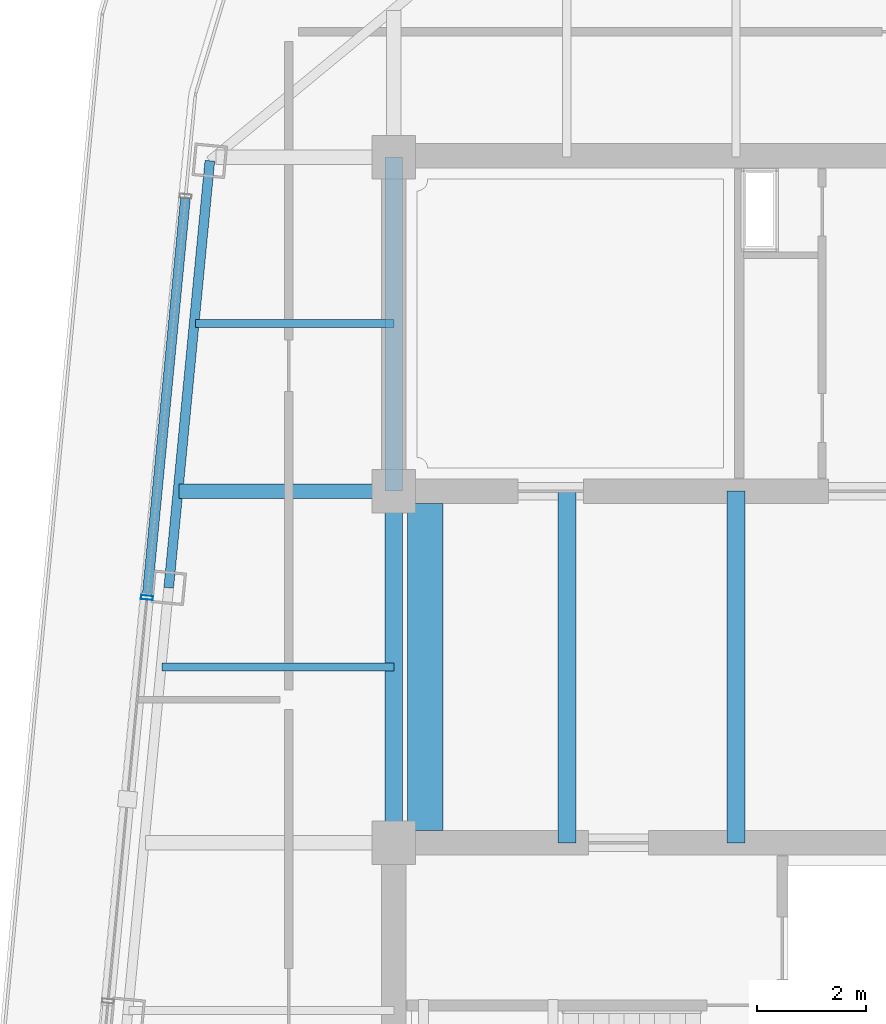
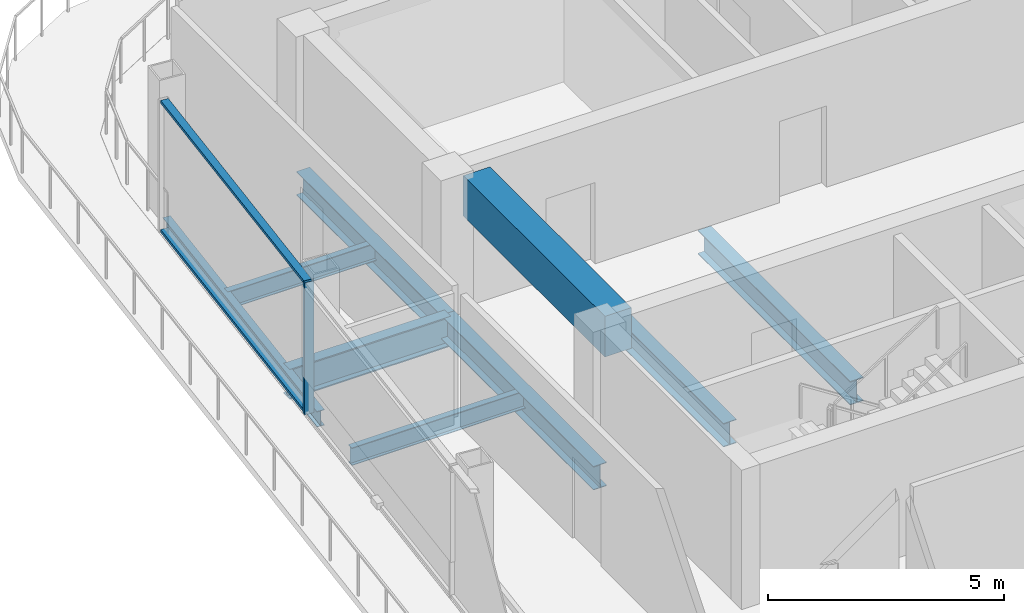
# One storey, part 6 of 23: 9 beams, 3 members, 1 element without a shape of its own.
"""IFC4 building model written with IfcOpenShell, lengths in metres."""

from ifc_helpers import new_model, si_unit, direction, frame, origin, origin_2d, place, context, subcontext, project, spatial, rectangle, hollow_rectangle, i_section, extrude, material, layer, layer_set, material_profile, profile_set, type_object, element, aggregate, save


model = new_model("IFC4")

# Units and contexts
model_context = context("Model", 3, precision=1e-05, world=origin(), true_north=direction((0.0, 1.0)))
body_context = subcontext(model_context, "Body", "Model", "MODEL_VIEW")
ifc_project = project(units=[si_unit("LENGTHUNIT", "METRE"), si_unit("AREAUNIT", "SQUARE_METRE"), si_unit("VOLUMEUNIT", "CUBIC_METRE"), si_unit("PLANEANGLEUNIT", "RADIAN"), si_unit("MASSUNIT", "GRAM", prefix="KILO")], contexts=[model_context])

# Site, building, storey
site_placement = place(None, origin())
site = spatial("IfcSite", under=ifc_project, at=site_placement, CompositionType="ELEMENT")
building_placement = place(site_placement, origin())
building = spatial("IfcBuilding", under=site, at=building_placement, Name="Qhalaya Broadcast Tower", CompositionType="ELEMENT")
storey_placement = place(building_placement, frame((0.0, 0.0, 276.949951171875)))
storey = spatial("IfcBuildingStorey", under=building, at=storey_placement, Name="L82", CompositionType="ELEMENT", Elevation=276.949951171875)

# Beams
ifc_material_1 = material(Name="Structural Steel ASTM A992 Grade 50", Category="steel")
ifc_material_profile_1 = material_profile(ifc_material_1, i_section(OverallWidth=0.154052734375, OverallDepth=0.458984375, WebThickness=0.009033203125, FlangeThickness=0.015380859375, at=origin_2d()), Name="W18X46")
ifc_profile_set_1 = profile_set([ifc_material_profile_1], Name="Structural Steel ASTM A992 Grade 50")
beam_type_1 = type_object("IfcBeamType", Name="Composite Floor Joist J04", PredefinedType="JOIST", material=ifc_profile_set_1)
beam_1_placement = place(storey_placement, frame((-13.622314453125, 0.60009765625, -0.41943359375), z_axis=(1.0, 0.0, 0.0), x_axis=(0.0, 1.0, 0.0)))
element("IfcBeam", 1, at=beam_1_placement, inside=storey, type_object=beam_type_1, Name="L82 J04 L82-JWE4W-1", PredefinedType="JOIST", context=body_context, shape_type="SweptSolid", body=[
    extrude(i_section(OverallWidth=0.154052734375, OverallDepth=0.458984375, WebThickness=0.009033203125, FlangeThickness=0.015380859375, at=origin_2d()), origin(), (0.0, 0.0, 1.0), 4.247314453125),
])
beam_2_placement = place(storey_placement, frame((-13.015625, 6.89990234375, -0.41943359375), z_axis=(1.0, 0.0, 0.0), x_axis=(0.0, 1.0, 0.0)))
element("IfcBeam", 2, at=beam_2_placement, inside=storey, type_object=beam_type_1, Name="L82 J04 L82-JWE5W-1", PredefinedType="JOIST", context=body_context, shape_type="SweptSolid", body=[
    extrude(i_section(OverallWidth=0.154052734375, OverallDepth=0.458984375, WebThickness=0.009033203125, FlangeThickness=0.015380859375, at=origin_2d()), origin(), (0.0, 0.0, 1.0), 3.640625),
])
ifc_material_profile_2 = material_profile(ifc_material_1, i_section(OverallWidth=0.323974609375, OverallDepth=0.612060546875, WebThickness=0.0126953125, FlangeThickness=0.01904296875, at=origin_2d()), Name="W24X104")
ifc_profile_set_2 = profile_set([ifc_material_profile_2], Name="Structural Steel ASTM A992 Grade 50")
beam_type_2 = type_object("IfcBeamType", Name="Core Frame Tie Beam B04", PredefinedType="BEAM", material=ifc_profile_set_2)
beam_3_placement = place(storey_placement, frame((-9.375, 3.824951171875, -0.495849609375), z_axis=(0.0, 1.0, 0.0), x_axis=(-1.0, 0.0, 0.0)))
element("IfcBeam", 3, at=beam_3_placement, inside=storey, type_object=beam_type_2, Name="L82 B04 L82-CCN2", PredefinedType="BEAM", context=body_context, shape_type="SweptSolid", body=[
    extrude(i_section(OverallWidth=0.323974609375, OverallDepth=0.612060546875, WebThickness=0.0126953125, FlangeThickness=0.01904296875, at=origin_2d()), origin(), (0.0, 0.0, 1.0), 6.125),
])
for number, where, z_axis, x_axis, name in (
    (4, (-9.375, -2.625, -0.495849609375), (0.0, 1.0, 0.0), (-1.0, 0.0, 0.0), "L82 B04 L82-CCW"),
    (5, (-6.199951171875, -2.625, -0.495849609375), (0.0, 1.0, 0.0), (-1.0, 0.0, 0.0), "L82 B04 L82-JC1-1"),
    (6, (-3.10009765625, -2.625, -0.495849609375), (0.0, 1.0, 0.0), (-1.0, 0.0, 0.0), "L82 B04 L82-JC2-1"),
):
    element("IfcBeam", number, at=place(storey_placement, frame(where, z_axis=z_axis, x_axis=x_axis)), inside=storey, type_object=beam_type_2, Name=name, PredefinedType="BEAM", context=body_context, shape_type="SweptSolid", body=[
        extrude(i_section(OverallWidth=0.323974609375, OverallDepth=0.612060546875, WebThickness=0.0126953125, FlangeThickness=0.01904296875, at=origin_2d()), origin(), (0.0, 0.0, 1.0), 6.449951171875),
    ])
ifc_material_profile_3 = material_profile(ifc_material_1, i_section(OverallWidth=0.26708984375, OverallDepth=0.780029296875, WebThickness=0.0166015625, FlangeThickness=0.030029296875, at=origin_2d()), Name="W30X148")
ifc_profile_set_3 = profile_set([ifc_material_profile_3], Name="Structural Steel ASTM A992 Grade 50")
beam_type_3 = type_object("IfcBeamType", Name="Neck & Crown Primary Girder PG5", PredefinedType="USERDEFINED", material=ifc_profile_set_3)
beam_4_placement = place(storey_placement, frame((-13.311767578125, 3.824951171875, -0.579833984375), z_axis=(1.0, 0.0, 0.0), x_axis=(0.0, 1.0, 0.0)))
element("IfcBeam", 7, at=beam_4_placement, inside=storey, type_object=beam_type_3, Name="L82 PG5 L82-PGYW3-1", ObjectType="GIRDER", PredefinedType="USERDEFINED", context=body_context, shape_type="SweptSolid", body=[
    extrude(i_section(OverallWidth=0.26708984375, OverallDepth=0.780029296875, WebThickness=0.0166015625, FlangeThickness=0.030029296875, at=origin_2d()), origin(), (0.0, 0.0, 1.0), 3.936767578125),
])
ifc_material_2 = material(Name="Concrete C60/75", Category="concrete")
ifc_material_profile_4 = material_profile(ifc_material_2, rectangle(XDim=0.64990234375, YDim=1.050048828125, at=origin_2d()), Name="RC-CB 650x1050")
ifc_profile_set_4 = profile_set([ifc_material_profile_4], Name="Concrete C60/75")
beam_type_4 = type_object("IfcBeamType", Name="Split-Core RC Coupling Lintel CB1", PredefinedType="LINTEL", material=ifc_profile_set_4)
beam_5_placement = place(storey_placement, frame((-8.800048828125, -2.39990234375, 2.885009765625), z_axis=(0.0, 1.0, 0.0), x_axis=(-1.0, 0.0, 0.0)))
element("IfcBeam", 8, at=beam_5_placement, inside=storey, type_object=beam_type_4, Name="L82 Core Coupling Lintel Beam W", PredefinedType="LINTEL", context=body_context, shape_type="SweptSolid", body=[
    extrude(rectangle(XDim=0.64990234375, YDim=1.050048828125, at=origin_2d()), origin(), (0.0, 0.0, 1.0), 6.0),
])

# Curtain wall, members
ifc_material_3 = material(Name="Solar-Control Low-E Triple Glazing", Category="glass")
ifc_layer = layer(ifc_material_3, 0.219970703125, Name="Solar-Control Low-E Triple Glazing")
ifc_layer_set = layer_set([ifc_layer], Name="Solar-Control Low-E Triple Glazing")
curtain_wall_type = type_object("IfcCurtainWallType", Name="Crown Garden & Observation Windscreen Curtain Wall CW-06", PredefinedType="NOTDEFINED", material=ifc_layer_set)
curtain_wall_placement = place(storey_placement, origin())
curtain_wall = element("IfcCurtainWall", 9, at=curtain_wall_placement, inside=storey, type_object=curtain_wall_type, Name="L82 Unitised Curtain Wall L82-CW-W", PredefinedType="NOTDEFINED")
ifc_material_4 = material(Name="Anodised Aluminium 6063-T6", Category="aluminium")
ifc_material_profile_5 = material_profile(ifc_material_4, hollow_rectangle(XDim=0.074951171875, YDim=0.219970703125, WallThickness=0.00390625, at=origin_2d()), Name="ALU-MUL 75x220x4")
ifc_profile_set_5 = profile_set([ifc_material_profile_5], Name="Anodised Aluminium 6063-T6")
member_type_1 = type_object("IfcMemberType", Name="Unitised Curtain-Wall Mullion M01", PredefinedType="MULLION", material=ifc_profile_set_5)
member_1_placement = place(storey_placement, frame((-13.9013671875, 1.873291015625, 0.0), z_axis=(0.0, 0.0, 1.0), x_axis=(-0.095847667974, -0.995396013928, 0.0)))
member_1 = element("IfcMember", 10, at=member_1_placement, type_object=member_type_1, Name="CW-06 mullion 2", PredefinedType="MULLION", context=body_context, shape_type="SweptSolid", body=[
    extrude(hollow_rectangle(XDim=0.074951171875, YDim=0.219970703125, WallThickness=0.00390625, at=origin_2d()), origin(), (0.0, 0.0, 1.0), 3.41015625),
])
ifc_material_profile_6 = material_profile(ifc_material_4, hollow_rectangle(XDim=0.074951171875, YDim=0.179931640625, WallThickness=0.00390625, at=origin_2d()), Name="ALU-TRN 75x180x4")
ifc_profile_set_6 = profile_set([ifc_material_profile_6], Name="Anodised Aluminium 6063-T6")
member_type_2 = type_object("IfcMemberType", Name="Unitised Curtain-Wall Transom T01", PredefinedType="USERDEFINED", material=ifc_profile_set_6)
member_2_placement = place(storey_placement, frame((-13.1962890625, 9.19775390625, 0.03759765625), z_axis=(-0.095844579162, -0.995396311348, 0.0), x_axis=(0.0, 0.0, 1.0)))
member_2 = element("IfcMember", 11, at=member_2_placement, type_object=member_type_2, Name="CW-06 transom 1.1", ObjectType="TRANSOM", PredefinedType="USERDEFINED", context=body_context, shape_type="SweptSolid", body=[
    extrude(hollow_rectangle(XDim=0.074951171875, YDim=0.179931640625, WallThickness=0.00390625, at=origin_2d()), origin(), (0.0, 0.0, 1.0), 7.32080078125),
])
member_3_placement = place(storey_placement, frame((-13.1962890625, 9.19775390625, 3.37255859375), z_axis=(-0.095844579162, -0.995396311348, 0.0), x_axis=(0.0, 0.0, 1.0)))
member_3 = element("IfcMember", 12, at=member_3_placement, type_object=member_type_2, Name="CW-06 transom 1.2", ObjectType="TRANSOM", PredefinedType="USERDEFINED", context=body_context, shape_type="SweptSolid", body=[
    extrude(hollow_rectangle(XDim=0.074951171875, YDim=0.179931640625, WallThickness=0.00390625, at=origin_2d()), origin(), (0.0, 0.0, 1.0), 7.32080078125),
])
aggregate(curtain_wall, [member_1, member_2, member_3])

# Beam
ifc_material_profile_7 = material_profile(ifc_material_1, i_section(OverallWidth=0.177978515625, OverallDepth=0.406005859375, WebThickness=0.0078125, FlangeThickness=0.0126953125, at=origin_2d()), Name="W16X40")
ifc_profile_set_7 = profile_set([ifc_material_profile_7], Name="Structural Steel ASTM A992 Grade 50")
beam_type_5 = type_object("IfcBeamType", Name="Upper Perimeter Spandrel Beam SP2", PredefinedType="SPANDREL", material=ifc_profile_set_7)
beam_6_placement = place(storey_placement, frame((-12.74853515625, 9.883056640625, -0.39306640625), z_axis=(-0.095834223619, -0.995397308407, 0.0), x_axis=(0.995397308407, -0.095834223619, 0.0)))
element("IfcBeam", 13, at=beam_6_placement, inside=storey, type_object=beam_type_5, Name="L82 SP2 L82-SPR-13", PredefinedType="SPANDREL", context=body_context, shape_type="SweptSolid", body=[
    extrude(i_section(OverallWidth=0.177978515625, OverallDepth=0.406005859375, WebThickness=0.0078125, FlangeThickness=0.0126953125, at=origin_2d()), origin(), (0.0, 0.0, 1.0), 7.86669921875),
])

save(model, "model.ifc")
